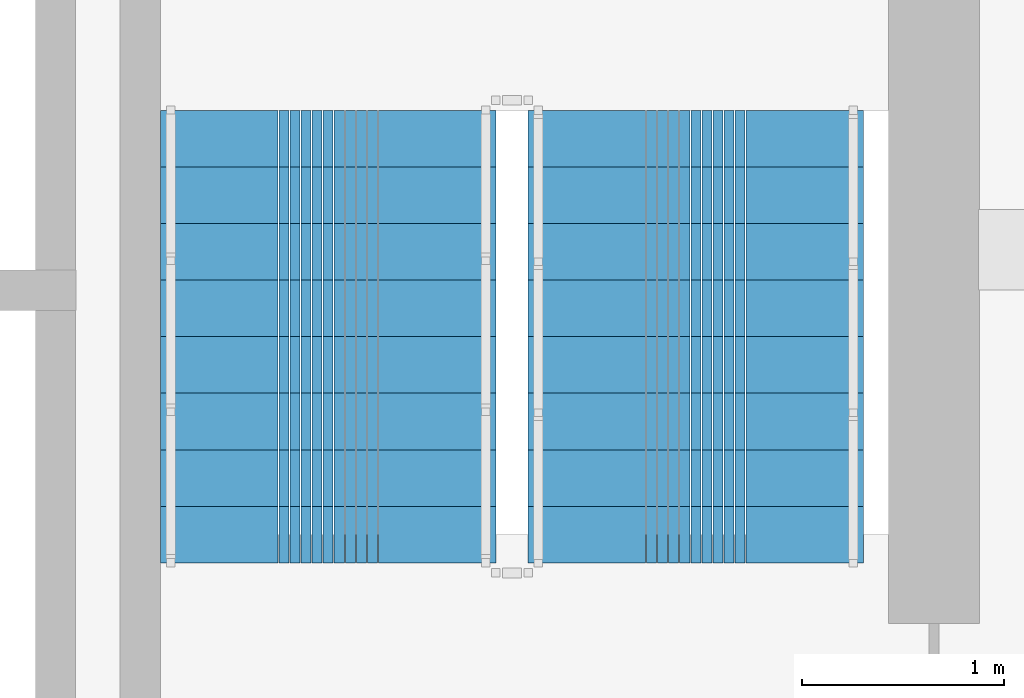
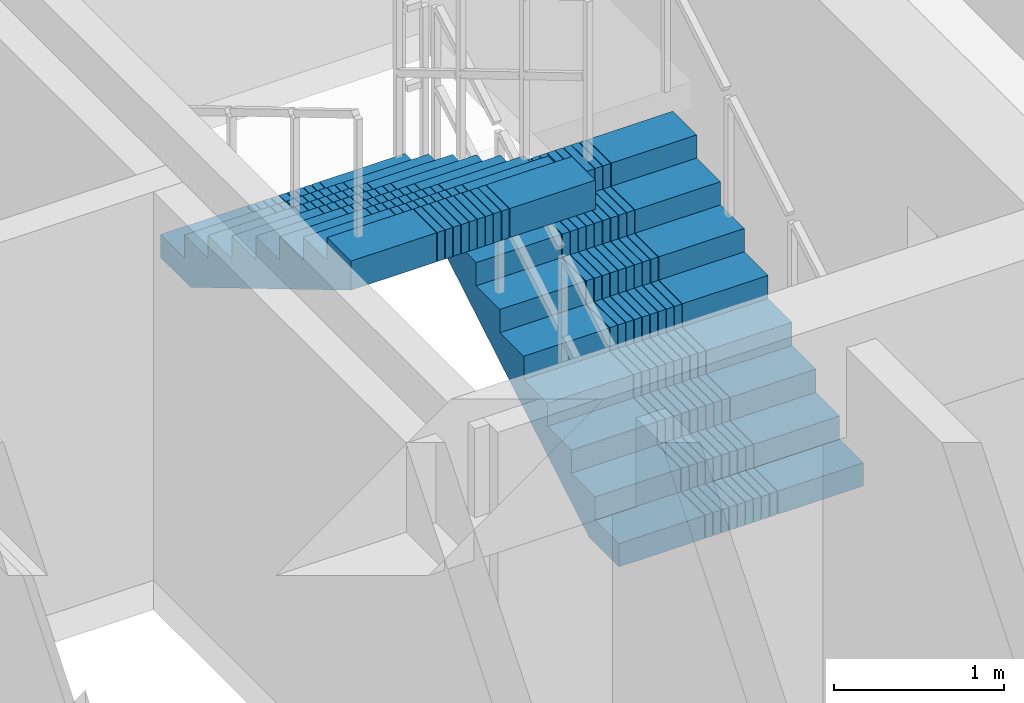
# One storey, part 18 of 23: 2 stair flights, 1 element without a shape of its own.
"""IFC4 building model written with IfcOpenShell, lengths in metres."""

from ifc_helpers import new_model, si_unit, direction, frame, origin, place, context, subcontext, project, spatial, polyline, outline, extrude, material, type_object, element, aggregate, save


model = new_model("IFC4")

# Units and contexts
model_context = context("Model", 3, precision=1e-05, world=origin(), true_north=direction((0.0, 1.0)))
body_context = subcontext(model_context, "Body", "Model", "MODEL_VIEW")
ifc_project = project(units=[si_unit("LENGTHUNIT", "METRE"), si_unit("AREAUNIT", "SQUARE_METRE"), si_unit("VOLUMEUNIT", "CUBIC_METRE"), si_unit("PLANEANGLEUNIT", "RADIAN"), si_unit("MASSUNIT", "GRAM", prefix="KILO")], contexts=[model_context])

# Site, building, storey
site_placement = place(None, origin())
site = spatial("IfcSite", under=ifc_project, at=site_placement, CompositionType="ELEMENT")
building_placement = place(site_placement, origin())
building = spatial("IfcBuilding", under=site, at=building_placement, Name="Saelheon Loggia Tower", CompositionType="ELEMENT")
storey_placement = place(building_placement, frame((0.0, 0.0, 156.10009765625)))
storey = spatial("IfcBuildingStorey", under=building, at=storey_placement, Name="L49", CompositionType="ELEMENT", Elevation=156.10009765625)

# Stair, stair flights
ifc_material = material(Name="Concrete C40/50", Category="concrete")
stair_type = type_object("IfcStairType", Name="Stair_Escape_Core", PredefinedType="HALF_TURN_STAIR", material=ifc_material)
stair_placement = place(storey_placement, origin())
stair = element("IfcStair", 1, at=stair_placement, inside=storey, type_object=stair_type, Name="L49 Special Escape Stair ST2", PredefinedType="HALF_TURN_STAIR")
stair_flight_type = type_object("IfcStairFlightType", Name="StairFlight_Tower_1660", PredefinedType="STRAIGHT", material=ifc_material)
stair_flight_1_placement = place(storey_placement, frame((43.320068359375, 30.449951171875, 0.0), z_axis=(0.0, 0.0, 1.0), x_axis=(0.0, 1.0, 0.0)))
stair_flight_1 = element("IfcStairFlight", 2, at=stair_flight_1_placement, type_object=stair_flight_type, Name="ST2 flight 1", NumberOfRisers=9, NumberOfTreads=8, PredefinedType="STRAIGHT", RiserHeight=0.166666667, TreadLength=0.28, context=body_context, shape_type="SweptSolid", body=[
    extrude(outline(polyline([(0.0, 0.0), (0.0, 0.166748046875), (0.280029296875, 0.166748046875), (0.280029296875, 0.333251953125), (0.56005859375, 0.333251953125), (0.56005859375, 0.5), (0.840087890625, 0.5), (0.840087890625, 0.666748046875), (1.1201171875, 0.666748046875), (1.1201171875, 0.833251953125), (1.39990234375, 0.833251953125), (1.39990234375, 1.0), (1.679931640625, 1.0), (1.679931640625, 1.166748046875), (1.9599609375, 1.166748046875), (1.9599609375, 1.333251953125), (2.239990234375, 1.333251953125), (2.239990234375, 1.5), (2.239990234375, 1.1240234375), (0.351806640625, 0.0), (0.0, 0.0)])), frame((0.0, -0.2490234375, 0.0), z_axis=(0.0, -1.0, 0.0), x_axis=(1.0, 0.0, 0.0)), (0.0, 0.0, 1.0), 0.5810546875),
    extrude(outline(polyline([(0.0, 0.0), (0.0, 0.166748046875), (0.280029296875, 0.166748046875), (0.280029296875, 0.333251953125), (0.56005859375, 0.333251953125), (0.56005859375, 0.5), (0.840087890625, 0.5), (0.840087890625, 0.666748046875), (1.1201171875, 0.666748046875), (1.1201171875, 0.833251953125), (1.39990234375, 0.833251953125), (1.39990234375, 1.0), (1.679931640625, 1.0), (1.679931640625, 1.166748046875), (1.9599609375, 1.166748046875), (1.9599609375, 1.333251953125), (2.239990234375, 1.333251953125), (2.239990234375, 1.5), (2.239990234375, 1.1240234375), (0.351806640625, 0.0), (0.0, 0.0)])), frame((0.0, -0.194091796875, 0.0), z_axis=(0.0, -1.0, 0.0), x_axis=(1.0, 0.0, 0.0)), (0.0, 0.0, 1.0), 0.0498046875),
    extrude(outline(polyline([(0.0, 0.0), (0.0, 0.166748046875), (0.280029296875, 0.166748046875), (0.280029296875, 0.333251953125), (0.56005859375, 0.333251953125), (0.56005859375, 0.5), (0.840087890625, 0.5), (0.840087890625, 0.666748046875), (1.1201171875, 0.666748046875), (1.1201171875, 0.833251953125), (1.39990234375, 0.833251953125), (1.39990234375, 1.0), (1.679931640625, 1.0), (1.679931640625, 1.166748046875), (1.9599609375, 1.166748046875), (1.9599609375, 1.333251953125), (2.239990234375, 1.333251953125), (2.239990234375, 1.5), (2.239990234375, 1.1240234375), (0.351806640625, 0.0), (0.0, 0.0)])), frame((0.0, -0.139404296875, 0.0), z_axis=(0.0, -1.0, 0.0), x_axis=(1.0, 0.0, 0.0)), (0.0, 0.0, 1.0), 0.0498046875),
    extrude(outline(polyline([(0.0, 0.0), (0.0, 0.166748046875), (0.280029296875, 0.166748046875), (0.280029296875, 0.333251953125), (0.56005859375, 0.333251953125), (0.56005859375, 0.5), (0.840087890625, 0.5), (0.840087890625, 0.666748046875), (1.1201171875, 0.666748046875), (1.1201171875, 0.833251953125), (1.39990234375, 0.833251953125), (1.39990234375, 1.0), (1.679931640625, 1.0), (1.679931640625, 1.166748046875), (1.9599609375, 1.166748046875), (1.9599609375, 1.333251953125), (2.239990234375, 1.333251953125), (2.239990234375, 1.5), (2.239990234375, 1.1240234375), (0.351806640625, 0.0), (0.0, 0.0)])), frame((0.0, -0.084716796875, 0.0), z_axis=(0.0, -1.0, 0.0), x_axis=(1.0, 0.0, 0.0)), (0.0, 0.0, 1.0), 0.0498046875),
    extrude(outline(polyline([(0.0, 0.0), (0.0, 0.166748046875), (0.280029296875, 0.166748046875), (0.280029296875, 0.333251953125), (0.56005859375, 0.333251953125), (0.56005859375, 0.5), (0.840087890625, 0.5), (0.840087890625, 0.666748046875), (1.1201171875, 0.666748046875), (1.1201171875, 0.833251953125), (1.39990234375, 0.833251953125), (1.39990234375, 1.0), (1.679931640625, 1.0), (1.679931640625, 1.166748046875), (1.9599609375, 1.166748046875), (1.9599609375, 1.333251953125), (2.239990234375, 1.333251953125), (2.239990234375, 1.5), (2.239990234375, 1.1240234375), (0.351806640625, 0.0), (0.0, 0.0)])), frame((0.0, -0.02978515625, 0.0), z_axis=(0.0, -1.0, 0.0), x_axis=(1.0, 0.0, 0.0)), (0.0, 0.0, 1.0), 0.0498046875),
    extrude(outline(polyline([(0.0, 0.0), (0.0, 0.166748046875), (0.280029296875, 0.166748046875), (0.280029296875, 0.333251953125), (0.56005859375, 0.333251953125), (0.56005859375, 0.5), (0.840087890625, 0.5), (0.840087890625, 0.666748046875), (1.1201171875, 0.666748046875), (1.1201171875, 0.833251953125), (1.39990234375, 0.833251953125), (1.39990234375, 1.0), (1.679931640625, 1.0), (1.679931640625, 1.166748046875), (1.9599609375, 1.166748046875), (1.9599609375, 1.333251953125), (2.239990234375, 1.333251953125), (2.239990234375, 1.5), (2.239990234375, 1.1240234375), (0.351806640625, 0.0), (0.0, 0.0)])), frame((0.0, 0.02490234375, 0.0), z_axis=(0.0, -1.0, 0.0), x_axis=(1.0, 0.0, 0.0)), (0.0, 0.0, 1.0), 0.0498046875),
    extrude(outline(polyline([(0.0, 0.0), (0.0, 0.166748046875), (0.280029296875, 0.166748046875), (0.280029296875, 0.333251953125), (0.56005859375, 0.333251953125), (0.56005859375, 0.5), (0.840087890625, 0.5), (0.840087890625, 0.666748046875), (1.1201171875, 0.666748046875), (1.1201171875, 0.833251953125), (1.39990234375, 0.833251953125), (1.39990234375, 1.0), (1.679931640625, 1.0), (1.679931640625, 1.166748046875), (1.9599609375, 1.166748046875), (1.9599609375, 1.333251953125), (2.239990234375, 1.333251953125), (2.239990234375, 1.5), (2.239990234375, 1.1240234375), (0.351806640625, 0.0), (0.0, 0.0)])), frame((0.0, 0.07958984375, 0.0), z_axis=(0.0, -1.0, 0.0), x_axis=(1.0, 0.0, 0.0)), (0.0, 0.0, 1.0), 0.0498046875),
    extrude(outline(polyline([(0.0, 0.0), (0.0, 0.166748046875), (0.280029296875, 0.166748046875), (0.280029296875, 0.333251953125), (0.56005859375, 0.333251953125), (0.56005859375, 0.5), (0.840087890625, 0.5), (0.840087890625, 0.666748046875), (1.1201171875, 0.666748046875), (1.1201171875, 0.833251953125), (1.39990234375, 0.833251953125), (1.39990234375, 1.0), (1.679931640625, 1.0), (1.679931640625, 1.166748046875), (1.9599609375, 1.166748046875), (1.9599609375, 1.333251953125), (2.239990234375, 1.333251953125), (2.239990234375, 1.5), (2.239990234375, 1.1240234375), (0.351806640625, 0.0), (0.0, 0.0)])), frame((0.0, 0.134521484375, 0.0), z_axis=(0.0, -1.0, 0.0), x_axis=(1.0, 0.0, 0.0)), (0.0, 0.0, 1.0), 0.0498046875),
    extrude(outline(polyline([(0.0, 0.0), (0.0, 0.166748046875), (0.280029296875, 0.166748046875), (0.280029296875, 0.333251953125), (0.56005859375, 0.333251953125), (0.56005859375, 0.5), (0.840087890625, 0.5), (0.840087890625, 0.666748046875), (1.1201171875, 0.666748046875), (1.1201171875, 0.833251953125), (1.39990234375, 0.833251953125), (1.39990234375, 1.0), (1.679931640625, 1.0), (1.679931640625, 1.166748046875), (1.9599609375, 1.166748046875), (1.9599609375, 1.333251953125), (2.239990234375, 1.333251953125), (2.239990234375, 1.5), (2.239990234375, 1.1240234375), (0.351806640625, 0.0), (0.0, 0.0)])), frame((0.0, 0.189208984375, 0.0), z_axis=(0.0, -1.0, 0.0), x_axis=(1.0, 0.0, 0.0)), (0.0, 0.0, 1.0), 0.0498046875),
    extrude(outline(polyline([(0.0, 0.0), (0.0, 0.166748046875), (0.280029296875, 0.166748046875), (0.280029296875, 0.333251953125), (0.56005859375, 0.333251953125), (0.56005859375, 0.5), (0.840087890625, 0.5), (0.840087890625, 0.666748046875), (1.1201171875, 0.666748046875), (1.1201171875, 0.833251953125), (1.39990234375, 0.833251953125), (1.39990234375, 1.0), (1.679931640625, 1.0), (1.679931640625, 1.166748046875), (1.9599609375, 1.166748046875), (1.9599609375, 1.333251953125), (2.239990234375, 1.333251953125), (2.239990234375, 1.5), (2.239990234375, 1.1240234375), (0.351806640625, 0.0), (0.0, 0.0)])), frame((0.0, 0.243896484375, 0.0), z_axis=(0.0, -1.0, 0.0), x_axis=(1.0, 0.0, 0.0)), (0.0, 0.0, 1.0), 0.0498046875),
    extrude(outline(polyline([(0.0, 0.0), (0.0, 0.166748046875), (0.280029296875, 0.166748046875), (0.280029296875, 0.333251953125), (0.56005859375, 0.333251953125), (0.56005859375, 0.5), (0.840087890625, 0.5), (0.840087890625, 0.666748046875), (1.1201171875, 0.666748046875), (1.1201171875, 0.833251953125), (1.39990234375, 0.833251953125), (1.39990234375, 1.0), (1.679931640625, 1.0), (1.679931640625, 1.166748046875), (1.9599609375, 1.166748046875), (1.9599609375, 1.333251953125), (2.239990234375, 1.333251953125), (2.239990234375, 1.5), (2.239990234375, 1.1240234375), (0.351806640625, 0.0), (0.0, 0.0)])), frame((0.0, 0.830078125, 0.0), z_axis=(0.0, -1.0, 0.0), x_axis=(1.0, 0.0, 0.0)), (0.0, 0.0, 1.0), 0.5810546875),
])
stair_flight_2_placement = place(storey_placement, frame((41.5, 32.68994140625, 1.5), z_axis=(0.0, 0.0, 1.0), x_axis=(0.0, -1.0, 0.0)))
stair_flight_2 = element("IfcStairFlight", 3, at=stair_flight_2_placement, type_object=stair_flight_type, Name="ST2 flight 2", NumberOfRisers=9, NumberOfTreads=8, PredefinedType="STRAIGHT", RiserHeight=0.166666667, TreadLength=0.28, context=body_context, shape_type="SweptSolid", body=[
    extrude(outline(polyline([(0.0, 0.0), (0.0, 0.166748046875), (0.280029296875, 0.166748046875), (0.280029296875, 0.333251953125), (0.56005859375, 0.333251953125), (0.56005859375, 0.5), (0.840087890625, 0.5), (0.840087890625, 0.666748046875), (1.1201171875, 0.666748046875), (1.1201171875, 0.833251953125), (1.39990234375, 0.833251953125), (1.39990234375, 1.0), (1.679931640625, 1.0), (1.679931640625, 1.166748046875), (1.9599609375, 1.166748046875), (1.9599609375, 1.333251953125), (2.239990234375, 1.333251953125), (2.239990234375, 1.5), (2.239990234375, 1.1240234375), (0.351806640625, 0.0), (0.0, 0.0)])), frame((0.0, -0.2490234375, 0.0), z_axis=(0.0, -1.0, 0.0), x_axis=(1.0, 0.0, 0.0)), (0.0, 0.0, 1.0), 0.5810546875),
    extrude(outline(polyline([(0.0, 0.0), (0.0, 0.166748046875), (0.280029296875, 0.166748046875), (0.280029296875, 0.333251953125), (0.56005859375, 0.333251953125), (0.56005859375, 0.5), (0.840087890625, 0.5), (0.840087890625, 0.666748046875), (1.1201171875, 0.666748046875), (1.1201171875, 0.833251953125), (1.39990234375, 0.833251953125), (1.39990234375, 1.0), (1.679931640625, 1.0), (1.679931640625, 1.166748046875), (1.9599609375, 1.166748046875), (1.9599609375, 1.333251953125), (2.239990234375, 1.333251953125), (2.239990234375, 1.5), (2.239990234375, 1.1240234375), (0.351806640625, 0.0), (0.0, 0.0)])), frame((0.0, -0.194091796875, 0.0), z_axis=(0.0, -1.0, 0.0), x_axis=(1.0, 0.0, 0.0)), (0.0, 0.0, 1.0), 0.0498046875),
    extrude(outline(polyline([(0.0, 0.0), (0.0, 0.166748046875), (0.280029296875, 0.166748046875), (0.280029296875, 0.333251953125), (0.56005859375, 0.333251953125), (0.56005859375, 0.5), (0.840087890625, 0.5), (0.840087890625, 0.666748046875), (1.1201171875, 0.666748046875), (1.1201171875, 0.833251953125), (1.39990234375, 0.833251953125), (1.39990234375, 1.0), (1.679931640625, 1.0), (1.679931640625, 1.166748046875), (1.9599609375, 1.166748046875), (1.9599609375, 1.333251953125), (2.239990234375, 1.333251953125), (2.239990234375, 1.5), (2.239990234375, 1.1240234375), (0.351806640625, 0.0), (0.0, 0.0)])), frame((0.0, -0.139404296875, 0.0), z_axis=(0.0, -1.0, 0.0), x_axis=(1.0, 0.0, 0.0)), (0.0, 0.0, 1.0), 0.0498046875),
    extrude(outline(polyline([(0.0, 0.0), (0.0, 0.166748046875), (0.280029296875, 0.166748046875), (0.280029296875, 0.333251953125), (0.56005859375, 0.333251953125), (0.56005859375, 0.5), (0.840087890625, 0.5), (0.840087890625, 0.666748046875), (1.1201171875, 0.666748046875), (1.1201171875, 0.833251953125), (1.39990234375, 0.833251953125), (1.39990234375, 1.0), (1.679931640625, 1.0), (1.679931640625, 1.166748046875), (1.9599609375, 1.166748046875), (1.9599609375, 1.333251953125), (2.239990234375, 1.333251953125), (2.239990234375, 1.5), (2.239990234375, 1.1240234375), (0.351806640625, 0.0), (0.0, 0.0)])), frame((0.0, -0.084716796875, 0.0), z_axis=(0.0, -1.0, 0.0), x_axis=(1.0, 0.0, 0.0)), (0.0, 0.0, 1.0), 0.0498046875),
    extrude(outline(polyline([(0.0, 0.0), (0.0, 0.166748046875), (0.280029296875, 0.166748046875), (0.280029296875, 0.333251953125), (0.56005859375, 0.333251953125), (0.56005859375, 0.5), (0.840087890625, 0.5), (0.840087890625, 0.666748046875), (1.1201171875, 0.666748046875), (1.1201171875, 0.833251953125), (1.39990234375, 0.833251953125), (1.39990234375, 1.0), (1.679931640625, 1.0), (1.679931640625, 1.166748046875), (1.9599609375, 1.166748046875), (1.9599609375, 1.333251953125), (2.239990234375, 1.333251953125), (2.239990234375, 1.5), (2.239990234375, 1.1240234375), (0.351806640625, 0.0), (0.0, 0.0)])), frame((0.0, -0.02978515625, 0.0), z_axis=(0.0, -1.0, 0.0), x_axis=(1.0, 0.0, 0.0)), (0.0, 0.0, 1.0), 0.0498046875),
    extrude(outline(polyline([(0.0, 0.0), (0.0, 0.166748046875), (0.280029296875, 0.166748046875), (0.280029296875, 0.333251953125), (0.56005859375, 0.333251953125), (0.56005859375, 0.5), (0.840087890625, 0.5), (0.840087890625, 0.666748046875), (1.1201171875, 0.666748046875), (1.1201171875, 0.833251953125), (1.39990234375, 0.833251953125), (1.39990234375, 1.0), (1.679931640625, 1.0), (1.679931640625, 1.166748046875), (1.9599609375, 1.166748046875), (1.9599609375, 1.333251953125), (2.239990234375, 1.333251953125), (2.239990234375, 1.5), (2.239990234375, 1.1240234375), (0.351806640625, 0.0), (0.0, 0.0)])), frame((0.0, 0.02490234375, 0.0), z_axis=(0.0, -1.0, 0.0), x_axis=(1.0, 0.0, 0.0)), (0.0, 0.0, 1.0), 0.0498046875),
    extrude(outline(polyline([(0.0, 0.0), (0.0, 0.166748046875), (0.280029296875, 0.166748046875), (0.280029296875, 0.333251953125), (0.56005859375, 0.333251953125), (0.56005859375, 0.5), (0.840087890625, 0.5), (0.840087890625, 0.666748046875), (1.1201171875, 0.666748046875), (1.1201171875, 0.833251953125), (1.39990234375, 0.833251953125), (1.39990234375, 1.0), (1.679931640625, 1.0), (1.679931640625, 1.166748046875), (1.9599609375, 1.166748046875), (1.9599609375, 1.333251953125), (2.239990234375, 1.333251953125), (2.239990234375, 1.5), (2.239990234375, 1.1240234375), (0.351806640625, 0.0), (0.0, 0.0)])), frame((0.0, 0.07958984375, 0.0), z_axis=(0.0, -1.0, 0.0), x_axis=(1.0, 0.0, 0.0)), (0.0, 0.0, 1.0), 0.0498046875),
    extrude(outline(polyline([(0.0, 0.0), (0.0, 0.166748046875), (0.280029296875, 0.166748046875), (0.280029296875, 0.333251953125), (0.56005859375, 0.333251953125), (0.56005859375, 0.5), (0.840087890625, 0.5), (0.840087890625, 0.666748046875), (1.1201171875, 0.666748046875), (1.1201171875, 0.833251953125), (1.39990234375, 0.833251953125), (1.39990234375, 1.0), (1.679931640625, 1.0), (1.679931640625, 1.166748046875), (1.9599609375, 1.166748046875), (1.9599609375, 1.333251953125), (2.239990234375, 1.333251953125), (2.239990234375, 1.5), (2.239990234375, 1.1240234375), (0.351806640625, 0.0), (0.0, 0.0)])), frame((0.0, 0.134521484375, 0.0), z_axis=(0.0, -1.0, 0.0), x_axis=(1.0, 0.0, 0.0)), (0.0, 0.0, 1.0), 0.0498046875),
    extrude(outline(polyline([(0.0, 0.0), (0.0, 0.166748046875), (0.280029296875, 0.166748046875), (0.280029296875, 0.333251953125), (0.56005859375, 0.333251953125), (0.56005859375, 0.5), (0.840087890625, 0.5), (0.840087890625, 0.666748046875), (1.1201171875, 0.666748046875), (1.1201171875, 0.833251953125), (1.39990234375, 0.833251953125), (1.39990234375, 1.0), (1.679931640625, 1.0), (1.679931640625, 1.166748046875), (1.9599609375, 1.166748046875), (1.9599609375, 1.333251953125), (2.239990234375, 1.333251953125), (2.239990234375, 1.5), (2.239990234375, 1.1240234375), (0.351806640625, 0.0), (0.0, 0.0)])), frame((0.0, 0.189208984375, 0.0), z_axis=(0.0, -1.0, 0.0), x_axis=(1.0, 0.0, 0.0)), (0.0, 0.0, 1.0), 0.0498046875),
    extrude(outline(polyline([(0.0, 0.0), (0.0, 0.166748046875), (0.280029296875, 0.166748046875), (0.280029296875, 0.333251953125), (0.56005859375, 0.333251953125), (0.56005859375, 0.5), (0.840087890625, 0.5), (0.840087890625, 0.666748046875), (1.1201171875, 0.666748046875), (1.1201171875, 0.833251953125), (1.39990234375, 0.833251953125), (1.39990234375, 1.0), (1.679931640625, 1.0), (1.679931640625, 1.166748046875), (1.9599609375, 1.166748046875), (1.9599609375, 1.333251953125), (2.239990234375, 1.333251953125), (2.239990234375, 1.5), (2.239990234375, 1.1240234375), (0.351806640625, 0.0), (0.0, 0.0)])), frame((0.0, 0.243896484375, 0.0), z_axis=(0.0, -1.0, 0.0), x_axis=(1.0, 0.0, 0.0)), (0.0, 0.0, 1.0), 0.0498046875),
    extrude(outline(polyline([(0.0, 0.0), (0.0, 0.166748046875), (0.280029296875, 0.166748046875), (0.280029296875, 0.333251953125), (0.56005859375, 0.333251953125), (0.56005859375, 0.5), (0.840087890625, 0.5), (0.840087890625, 0.666748046875), (1.1201171875, 0.666748046875), (1.1201171875, 0.833251953125), (1.39990234375, 0.833251953125), (1.39990234375, 1.0), (1.679931640625, 1.0), (1.679931640625, 1.166748046875), (1.9599609375, 1.166748046875), (1.9599609375, 1.333251953125), (2.239990234375, 1.333251953125), (2.239990234375, 1.5), (2.239990234375, 1.1240234375), (0.351806640625, 0.0), (0.0, 0.0)])), frame((0.0, 0.830078125, 0.0), z_axis=(0.0, -1.0, 0.0), x_axis=(1.0, 0.0, 0.0)), (0.0, 0.0, 1.0), 0.5810546875),
])
aggregate(stair, [stair_flight_1, stair_flight_2])

save(model, "model.ifc")
